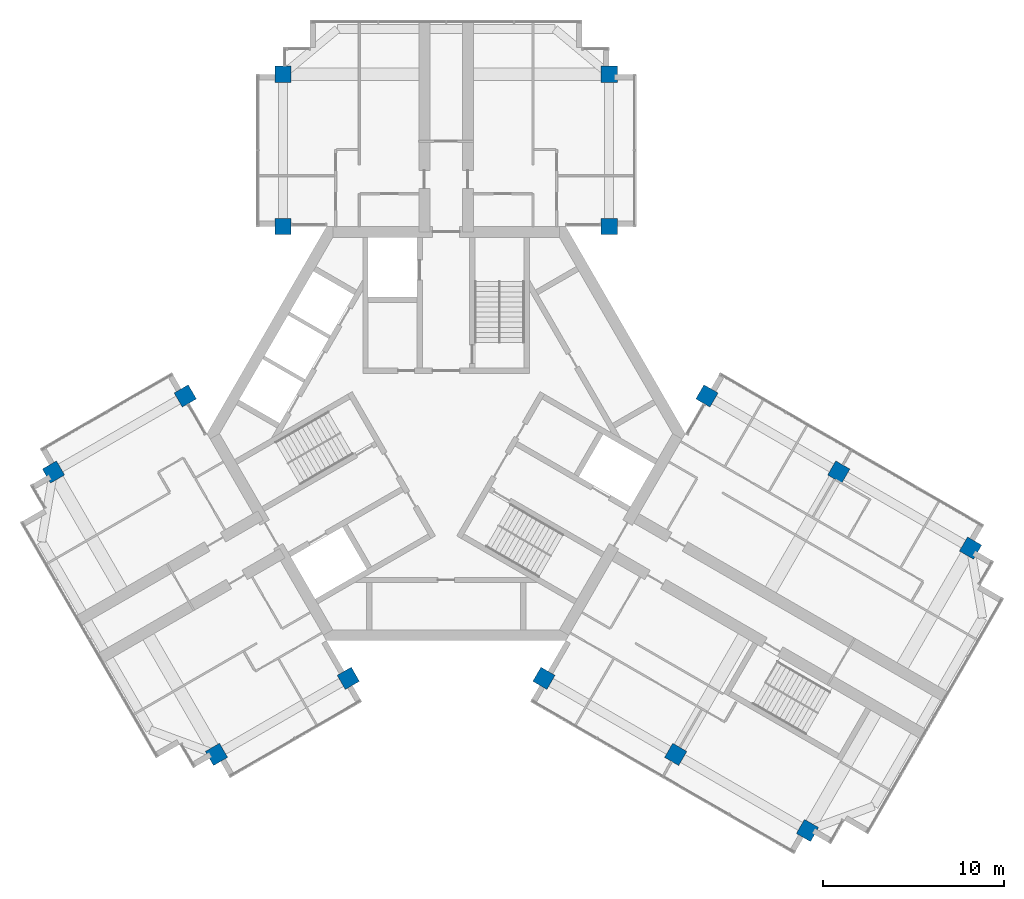
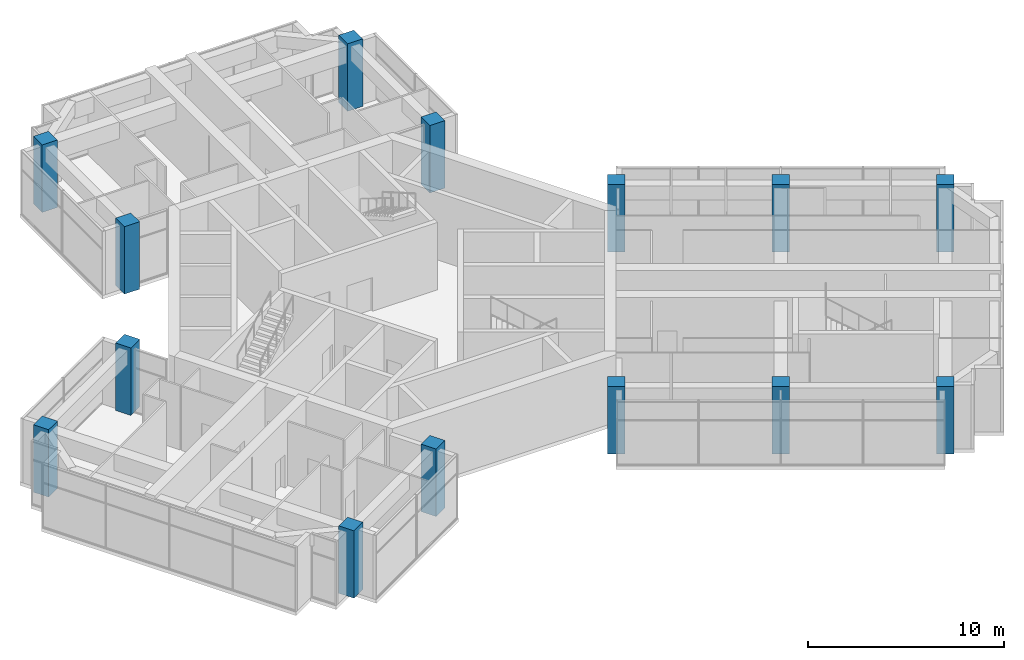
# One storey, part 1 of 13: 14 columns.
"""IFC4 building model written with IfcOpenShell, lengths in metres."""

import ifcopenshell
import ifcopenshell.guid

model = None  # the IFC model being written
_history = None  # IfcOwnerHistory: only IFC2X3 demands one
_inside = {}  # id of a spatial element -> (the spatial element, [elements in it])
_under = {}  # id of a project, library or spatial element -> (it, [spatial elements below it])
_declared = {}  # id of a project -> (the project, [libraries it declares])
_typed = {}  # id of a type object -> (the type object, [elements of that type])
_made_of = {}  # id of a material, layer set ... -> (it, [elements and type objects made of it])


def new_model(schema):
    """Start an empty IFC model of exactly this schema.

    Asked for "IFC4X3", IfcOpenShell would pick the latest addendum, in which some entities
    have other attributes; the version numbers below select the first issue.
    IFC2X3 requires an IfcOwnerHistory on every rooted entity: one is made here for all.
    """
    global model, _history
    if schema == "IFC4X3":
        model = ifcopenshell.file(schema_version=(4, 3, 0, 0))
    else:
        model = ifcopenshell.file(schema=schema)
    _inside.clear()
    _under.clear()
    _declared.clear()
    _typed.clear()
    _made_of.clear()
    _history = None
    if model.schema == "IFC2X3":
        org = make("IfcOrganization", Name="unknown")
        user = make(
            "IfcPersonAndOrganization",
            ThePerson=make("IfcPerson", FamilyName="unknown"),
            TheOrganization=org,
        )
        app = make(
            "IfcApplication",
            ApplicationDeveloper=org,
            Version="unknown",
            ApplicationFullName="unknown",
            ApplicationIdentifier="unknown",
        )
        _history = make(
            "IfcOwnerHistory",
            OwningUser=user,
            OwningApplication=app,
            ChangeAction="ADDED",
            CreationDate=0,
        )
    return model


def make(cls, **values):
    """One entity of the class cls with the attributes given. An attribute that is None is left unset."""
    return model.create_entity(
        cls, **{name: value for name, value in values.items() if value is not None}
    )


def rooted(cls, **values):
    """An entity with a GlobalId (a new one), such as an element, a storey or a relation."""
    return make(cls, GlobalId=ifcopenshell.guid.new(), OwnerHistory=_history, **values)


def si_unit(unit_type, name, prefix=None):
    """IfcSIUnit, for example si_unit("LENGTHUNIT", "METRE", prefix="MILLI")."""
    return make("IfcSIUnit", UnitType=unit_type, Prefix=prefix, Name=name)


def assignment(units):
    """IfcUnitAssignment: the units of a project."""
    return None if units is None else make("IfcUnitAssignment", Units=units)


def point(xyz):
    """IfcCartesianPoint."""
    return None if xyz is None else make("IfcCartesianPoint", Coordinates=xyz)


def direction(xyz):
    """IfcDirection."""
    return None if xyz is None else make("IfcDirection", DirectionRatios=xyz)


def frame(location, z_axis=None, x_axis=None):
    """IfcAxis2Placement3D, a coordinate frame: its origin and axes. An axis left out is left unset."""
    return make(
        "IfcAxis2Placement3D",
        Location=point(location),
        Axis=direction(z_axis),
        RefDirection=direction(x_axis),
    )


def frame_2d(location, x_axis=None):
    """IfcAxis2Placement2D, a coordinate frame in the plane: its origin and x axis."""
    return make(
        "IfcAxis2Placement2D", Location=point(location), RefDirection=direction(x_axis)
    )


def origin():
    """The frame at (0, 0, 0) with its axes left unset."""
    return frame((0.0, 0.0, 0.0))


def origin_2d():
    """The frame at (0, 0) in the plane with its x axis left unset."""
    return frame_2d((0.0, 0.0))


def place(relative_to, where):
    """IfcLocalPlacement: puts the frame where relative to a parent placement (None: the world)."""
    return make(
        "IfcLocalPlacement", PlacementRelTo=relative_to, RelativePlacement=where
    )


def context(
    kind, dimensions, precision=None, world=None, true_north=None, identifier=None
):
    """IfcGeometricRepresentationContext, for example the 3D "Model" context."""
    return make(
        "IfcGeometricRepresentationContext",
        ContextIdentifier=identifier,
        ContextType=kind,
        CoordinateSpaceDimension=dimensions,
        Precision=precision,
        WorldCoordinateSystem=world,
        TrueNorth=true_north,
    )


def subcontext(parent, identifier, kind, view, scale=None):
    """IfcGeometricRepresentationSubContext, for example "Body" below "Model"."""
    return make(
        "IfcGeometricRepresentationSubContext",
        ContextIdentifier=identifier,
        ContextType=kind,
        ParentContext=parent,
        TargetScale=scale,
        TargetView=view,
    )


def project(units=None, contexts=None):
    """IfcProject with its units and contexts."""
    return rooted(
        "IfcProject",
        Name="project",
        RepresentationContexts=contexts,
        UnitsInContext=assignment(units),
    )


def spatial(cls, under=None, at=None, **own):
    """A site, building, storey or space (cls), placed at a placement, below another one or the project."""
    s = rooted(cls, ObjectPlacement=at, **own)
    if under is not None:
        _under.setdefault(under.id(), (under, []))[1].append(s)
    return s


def profile(cls, at=None, kind="AREA", **sizes):
    """A parametric profile (cls). Its sizes go by their IFC names, for example OverallWidth=200.0."""
    return make(cls, ProfileType=kind, Position=at, **sizes)


def rectangle(**sizes):
    """IfcRectangleProfileDef."""
    return profile("IfcRectangleProfileDef", **sizes)


def extrude(swept, where, along, depth):
    """IfcExtrudedAreaSolid: the profile swept, set in the frame where, extruded along a direction by depth."""
    return make(
        "IfcExtrudedAreaSolid",
        SweptArea=swept,
        Position=where,
        ExtrudedDirection=direction(along),
        Depth=depth,
    )


def shape(context_of_items, identifier, shape_type, items):
    """IfcShapeRepresentation: the items that make up one representation, for example the "Body"."""
    return make(
        "IfcShapeRepresentation",
        ContextOfItems=context_of_items,
        RepresentationIdentifier=identifier,
        RepresentationType=shape_type,
        Items=items,
    )


def material(Name=None, Category=None):
    """IfcMaterial."""
    return make("IfcMaterial", Name=Name, Category=Category)


def material_profile(
    of_material, cross_section, Name=None, Category=None, Priority=None
):
    """IfcMaterialProfile: a cross section and its material."""
    return make(
        "IfcMaterialProfile",
        Name=Name,
        Material=of_material,
        Profile=cross_section,
        Priority=Priority,
        Category=Category,
    )


def profile_set(profiles, Name=None, composite=None):
    """IfcMaterialProfileSet."""
    return make(
        "IfcMaterialProfileSet",
        Name=Name,
        MaterialProfiles=profiles,
        CompositeProfile=composite,
    )


def made_of(thing, what):
    """Note that an element or type object is made of a material, layer set ...; save() writes the relation."""
    if what is not None:
        _made_of.setdefault(what.id(), (what, []))[1].append(thing)
    return thing


def type_object(cls, material=None, **own):
    """A type object (cls), such as IfcWallType, which elements share."""
    return made_of(rooted(cls, **own), material)


def element(
    cls,
    number,
    at=None,
    inside=None,
    cuts=None,
    type_object=None,
    material=None,
    context=None,
    identifier="Body",
    shape_type=None,
    held_by="IfcProductDefinitionShape",
    body=None,
    shapes=None,
    **own,
):
    """One element of the class cls, such as IfcWall. Its Tag is "e" and its number.

    at: its placement. inside: the storey or other place that contains it. cuts: it is an
    opening in that element (IfcRelVoidsElement). A single representation is given by context,
    identifier, shape_type and body (its items); several are given by shapes. held_by: the class
    of the entity that holds the representations. save() writes the other relations.
    """
    e = rooted(cls, Tag="e%d" % number, ObjectPlacement=at, **own)
    if body is not None:
        shapes = [shape(context, identifier, shape_type, body)]
    if shapes is not None:
        e.Representation = make(held_by, Representations=shapes)
    if inside is not None:
        _inside.setdefault(inside.id(), (inside, []))[1].append(e)
    if cuts is not None:
        rooted(
            "IfcRelVoidsElement", RelatingBuildingElement=cuts, RelatedOpeningElement=e
        )
    if type_object is not None:
        _typed.setdefault(type_object.id(), (type_object, []))[1].append(e)
    return made_of(e, material)


def aggregate(whole, parts):
    """IfcRelAggregates: a whole, such as a stair, and the parts it consists of."""
    return rooted("IfcRelAggregates", RelatingObject=whole, RelatedObjects=parts)


def save(model, path):
    """Write the relations noted so far, then the file.

    IfcRelAggregates (storeys below a building ...), IfcRelContainedInSpatialStructure (elements
    in a storey), IfcRelDefinesByType, IfcRelAssociatesMaterial and IfcRelDeclares: one each for
    every whole, place, type object, material and project.
    """
    for whole, parts in _under.values():
        aggregate(whole, parts)
    for where, things in _inside.values():
        rooted(
            "IfcRelContainedInSpatialStructure",
            RelatedElements=things,
            RelatingStructure=where,
        )
    for kind, things in _typed.values():
        rooted("IfcRelDefinesByType", RelatedObjects=things, RelatingType=kind)
    for what, things in _made_of.values():
        rooted("IfcRelAssociatesMaterial", RelatedObjects=things, RelatingMaterial=what)
    for by, libraries in _declared.values():
        rooted("IfcRelDeclares", RelatingContext=by, RelatedDefinitions=libraries)
    model.write(path)


model = new_model("IFC4")

# Units and contexts
model_context = context("Model", 3, precision=1e-05, world=origin(), true_north=direction((0.0, 1.0)))
body_context = subcontext(model_context, "Body", "Model", "MODEL_VIEW")
ifc_project = project(units=[si_unit("LENGTHUNIT", "METRE"), si_unit("AREAUNIT", "SQUARE_METRE"), si_unit("VOLUMEUNIT", "CUBIC_METRE"), si_unit("PLANEANGLEUNIT", "RADIAN"), si_unit("MASSUNIT", "GRAM", prefix="KILO")], contexts=[model_context])

# Site, building, storey
site_placement = place(None, origin())
site = spatial("IfcSite", under=ifc_project, at=site_placement, CompositionType="ELEMENT")
building_placement = place(site_placement, origin())
building = spatial("IfcBuilding", under=site, at=building_placement, Name="Impinga Residences", CompositionType="ELEMENT")
storey_placement = place(building_placement, frame((0.0, 0.0, 287.35009765625)))
storey = spatial("IfcBuildingStorey", under=building, at=storey_placement, Name="L72", CompositionType="ELEMENT", Elevation=287.35009765625)

# Columns
ifc_material = material(Name="Concrete C60/75", Category="concrete")
ifc_material_profile = material_profile(ifc_material, rectangle(XDim=0.89990234375, YDim=0.89990234375, at=origin_2d()), Name="RC 900x900")
ifc_profile_set = profile_set([ifc_material_profile], Name="Concrete C60/75")
column_type = type_object("IfcColumnType", Name="C5 900x900 column", PredefinedType="COLUMN", material=ifc_profile_set)
for number, where, z_axis, x_axis, name in (
    (1, (-9.0, 11.431640625, 0.0), (0.0, 0.0, 1.0), (1.0, 0.0, 0.0), "Column C5 N1/NA L72"),
    (2, (9.0, 11.431640625, 0.0), (0.0, 0.0, 1.0), (1.0, 0.0, 0.0), "Column C5 N1/NF L72"),
    (3, (-9.0, 19.83154296875, 0.0), (0.0, 0.0, 1.0), (1.0, 0.0, 0.0), "Column C5 N2/NA L72"),
    (4, (9.0, 19.83154296875, 0.0), (0.0, 0.0, 1.0), (1.0, 0.0, 0.0), "Column C5 N2/NF L72"),
    (5, (-5.39990234375, -13.510009765625, 0.0), (0.0, 0.0, 1.0), (-0.5, 0.866025403784, 0.0), "Column C5 W1/WA L72"),
    (6, (-14.39990234375, 2.078369140625, 0.0), (0.0, 0.0, 1.0), (-0.5, 0.866025403784, 0.0), "Column C5 W1/WF L72"),
    (7, (-12.674560546875, -17.7099609375, 0.0), (0.0, 0.0, 1.0), (-0.5, 0.866025403784, 0.0), "Column C5 W2/WA L72"),
    (8, (-21.674560546875, -2.12158203125, 0.0), (0.0, 0.0, 1.0), (-0.5, 0.866025403784, 0.0), "Column C5 W2/WF L72"),
    (9, (14.39990234375, 2.078369140625, 0.0), (0.0, 0.0, 1.0), (-0.5, -0.866025403784, 0.0), "Column C5 E1/EA L72"),
    (10, (5.39990234375, -13.510009765625, 0.0), (0.0, 0.0, 1.0), (-0.5, -0.866025403784, 0.0), "Column C5 E1/EF L72"),
    (11, (21.674560546875, -2.12158203125, 0.0), (0.0, 0.0, 1.0), (-0.5, -0.866025403784, 0.0), "Column C5 E2/EA L72"),
    (12, (12.674560546875, -17.7099609375, 0.0), (0.0, 0.0, 1.0), (-0.5, -0.866025403784, 0.0), "Column C5 E2/EF L72"),
    (13, (28.94921875, -6.321533203125, 0.0), (0.0, 0.0, 1.0), (-0.5, -0.866025403784, 0.0), "Column C5 E3/EA L72"),
    (14, (19.94921875, -21.909912109375, 0.0), (0.0, 0.0, 1.0), (-0.5, -0.866025403784, 0.0), "Column C5 E3/EF L72"),
):
    element("IfcColumn", number, at=place(storey_placement, frame(where, z_axis=z_axis, x_axis=x_axis)), inside=storey, type_object=column_type, Name=name, PredefinedType="COLUMN", context=body_context, shape_type="SweptSolid", body=[
        extrude(rectangle(XDim=0.89990234375, YDim=0.89990234375, at=origin_2d()), origin(), (0.0, 0.0, 1.0), 4.199951171875),
    ])

save(model, "model.ifc")
